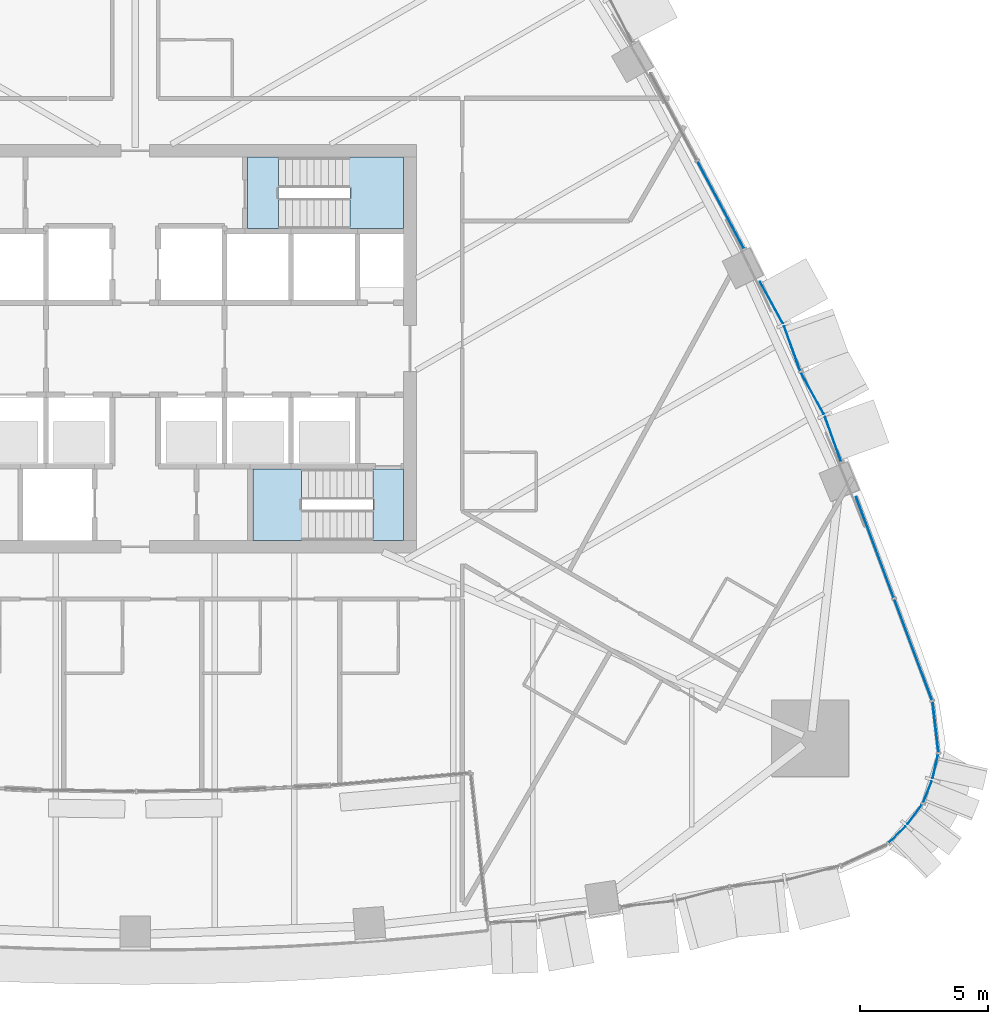
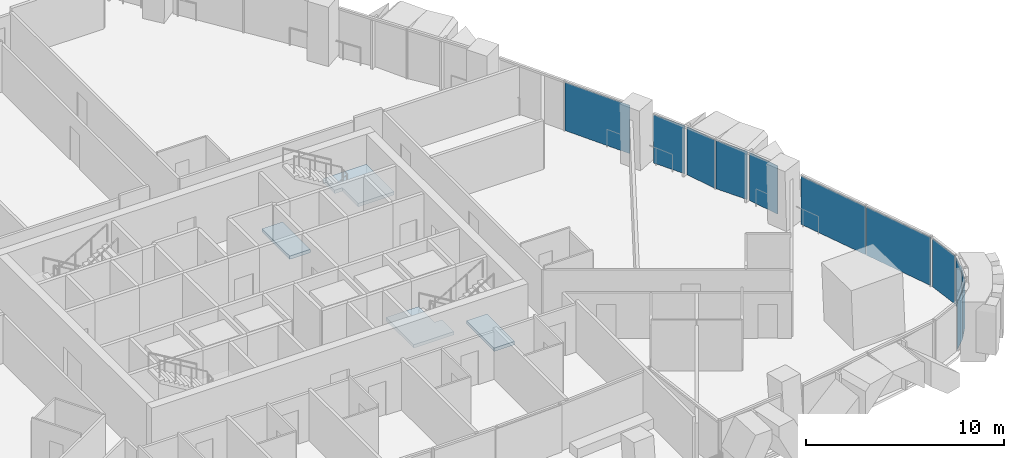
# One storey, part 10 of 22: 12 plates, 4 slabs, 8 elements without a shape of their own.
"""IFC4 building model written with IfcOpenShell, lengths in metres."""

from ifc_helpers import new_model, si_unit, direction, frame, origin, origin_2d, place, context, subcontext, project, spatial, polyline, rectangle, outline, extrude, material, layer, layer_set, type_object, element, aggregate, save


model = new_model("IFC4")

# Units and contexts
model_context = context("Model", 3, precision=1e-05, world=origin(), true_north=direction((0.0, 1.0)))
body_context = subcontext(model_context, "Body", "Model", "MODEL_VIEW")
ifc_project = project(units=[si_unit("LENGTHUNIT", "METRE"), si_unit("AREAUNIT", "SQUARE_METRE"), si_unit("VOLUMEUNIT", "CUBIC_METRE"), si_unit("PLANEANGLEUNIT", "RADIAN"), si_unit("MASSUNIT", "GRAM", prefix="KILO")], contexts=[model_context])

# Site, building, storey
site_placement = place(None, origin())
site = spatial("IfcSite", under=ifc_project, at=site_placement, CompositionType="ELEMENT")
building_placement = place(site_placement, origin())
building = spatial("IfcBuilding", under=site, at=building_placement, Name="Sierra Prisma Convention Tower", CompositionType="ELEMENT")
storey_placement = place(building_placement, frame((0.0, 0.0, 73.89990234375)))
storey = spatial("IfcBuildingStorey", under=building, at=storey_placement, Name="L14", CompositionType="ELEMENT", Elevation=73.89990234375)

# Curtain wall, plate
ifc_material_1 = material(Name="Aluminium and glass curtain wall", Category="aluminium")
ifc_layer_1 = layer(ifc_material_1, 0.179931640625)
ifc_layer_set_1 = layer_set([ifc_layer_1], Name="CW-1 Plain shaft curtain wall")
curtain_wall_type_1 = type_object("IfcCurtainWallType", Name="CW-1 Plain shaft curtain wall", PredefinedType="NOTDEFINED", material=ifc_layer_set_1)
curtain_wall_1_placement = place(storey_placement, origin())
curtain_wall_1 = element("IfcCurtainWall", 1, at=curtain_wall_1_placement, inside=storey, type_object=curtain_wall_type_1, Name="CW-1 SE4 L14", PredefinedType="NOTDEFINED")
ifc_material_2 = material(Name="Tinted glass bronze-grey IGU", Category="glass")
ifc_layer_2 = layer(ifc_material_2, 0.028076171875)
ifc_layer_set_2 = layer_set([ifc_layer_2], Name="CW-1 glass panel")
plate_type_1 = type_object("IfcPlateType", Name="CW-1 glass panel", PredefinedType="CURTAIN_PANEL", material=ifc_layer_set_2)
plate_1_placement = place(storey_placement, frame((31.332763671875, -14.8466796875, 0.0), z_axis=(0.0, 0.0, 1.0), x_axis=(-0.114595153131, 0.993412276388, 0.0)))
plate_1 = element("IfcPlate", 2, at=plate_1_placement, type_object=plate_type_1, Name="CW-1 panel SE4.1", PredefinedType="CURTAIN_PANEL", context=body_context, shape_type="SweptSolid", body=[
    extrude(rectangle(XDim=1.927001953125, YDim=0.028076171875, at=origin_2d()), origin(), (0.0, 0.0, 1.0), 2.97998046875),
])
aggregate(curtain_wall_1, [plate_1])

# Curtain wall, plates
curtain_wall_2_placement = place(storey_placement, origin())
curtain_wall_2 = element("IfcCurtainWall", 3, at=curtain_wall_2_placement, inside=storey, type_object=curtain_wall_type_1, Name="CW-1 NE1 L14", PredefinedType="NOTDEFINED")
plate_2_placement = place(storey_placement, frame((30.454345703125, -11.782958984375, 0.0), z_axis=(0.0, 0.0, 1.0), x_axis=(-0.349595603284, 0.936900696, 0.0)))
plate_2 = element("IfcPlate", 4, at=plate_2_placement, type_object=plate_type_1, Name="CW-1 panel NE1.1", PredefinedType="CURTAIN_PANEL", context=body_context, shape_type="SweptSolid", body=[
    extrude(rectangle(XDim=4.20849609375, YDim=0.028076171875, at=origin_2d()), origin(), (0.0, 0.0, 1.0), 2.97998046875),
])
plate_3_placement = place(storey_placement, frame((28.95849609375, -7.7744140625, 0.0), z_axis=(0.0, 0.0, 1.0), x_axis=(-0.349595603284, 0.936900696, 0.0)))
plate_3 = element("IfcPlate", 5, at=plate_3_placement, type_object=plate_type_1, Name="CW-1 panel NE1.2", PredefinedType="CURTAIN_PANEL", context=body_context, shape_type="SweptSolid", body=[
    extrude(rectangle(XDim=4.20849609375, YDim=0.028076171875, at=origin_2d()), origin(), (0.0, 0.0, 1.0), 2.97998046875),
])
aggregate(curtain_wall_2, [plate_2, plate_3])

# Curtain wall, plate
curtain_wall_3_placement = place(storey_placement, origin())
curtain_wall_3 = element("IfcCurtainWall", 6, at=curtain_wall_3_placement, inside=storey, type_object=curtain_wall_type_1, Name="CW-1 NE3 L14", PredefinedType="NOTDEFINED")
plate_4_placement = place(storey_placement, frame((22.923095703125, 5.624755859375, 0.0), z_axis=(0.0, 0.0, 1.0), x_axis=(-0.470524141145, 0.882387121733, 0.0)))
plate_4 = element("IfcPlate", 7, at=plate_4_placement, type_object=plate_type_1, Name="CW-1 panel NE3.1", PredefinedType="CURTAIN_PANEL", context=body_context, shape_type="SweptSolid", body=[
    extrude(rectangle(XDim=3.853759765625, YDim=0.028076171875, at=origin_2d()), origin(), (0.0, 0.0, 1.0), 2.97998046875),
])
aggregate(curtain_wall_3, [plate_4])

# Curtain wall, plates
ifc_material_3 = material(Name="Aluminium and glass curtain wall", Category="aluminium")
ifc_layer_3 = layer(ifc_material_3, 0.179931640625)
ifc_layer_set_3 = layer_set([ifc_layer_3], Name="CW-2 Faceted crystal curtain wall")
curtain_wall_type_2 = type_object("IfcCurtainWallType", Name="CW-2 Faceted crystal curtain wall", PredefinedType="NOTDEFINED", material=ifc_layer_set_3)
curtain_wall_4_placement = place(storey_placement, origin())
curtain_wall_4 = element("IfcCurtainWall", 8, at=curtain_wall_4_placement, inside=storey, type_object=curtain_wall_type_2, Name="CW-2 SE2 L14", PredefinedType="NOTDEFINED")
ifc_material_4 = material(Name="Tinted glass bronze-grey IGU", Category="glass")
ifc_layer_4 = layer(ifc_material_4, 0.028076171875)
ifc_layer_set_4 = layer_set([ifc_layer_4], Name="CW-2 crystal pane")
plate_type_2 = type_object("IfcPlateType", Name="CW-2 crystal pane", PredefinedType="CURTAIN_PANEL", material=ifc_layer_set_4)
plate_5_placement = place(storey_placement, frame((29.5146484375, -19.34521484375, 0.0), z_axis=(0.696602522669, -0.717457263822, 0.0), x_axis=(0.717457263822, 0.696602522669, 0.0)))
plate_5 = element("IfcPlate", 9, at=plate_5_placement, type_object=plate_type_2, Name="CW-2 pane SE2.1.1", PredefinedType="CURTAIN_PANEL", context=body_context, shape_type="SweptSolid", body=[
    extrude(outline(polyline([(0.0, 0.0), (0.9014174756273385, 0.0), (0.9014174756273385, 2.97998046875), (0.0, 2.97998046875), (0.0, 0.0)])), origin(), (0.0, 0.0, -1.0), 0.028076171875),
])
plate_6_placement = place(storey_placement, frame((30.78759765625, -17.8984375, 0.0), z_axis=(0.800292397595, -0.599609938503, 0.0), x_axis=(-0.599609938503, -0.800292397595, 0.0)))
plate_6 = element("IfcPlate", 10, at=plate_6_placement, type_object=plate_type_2, Name="CW-2 pane SE2.1.2", PredefinedType="CURTAIN_PANEL", context=body_context, shape_type="SweptSolid", body=[
    extrude(outline(polyline([(0.0, 0.0), (0.901464950864015, 0.0), (0.901464950864015, -2.97998046875), (0.0, -2.97998046875), (0.0, 0.0)])), origin(), (0.0, 0.0, -1.0), 0.028076171875),
])
aggregate(curtain_wall_4, [plate_5, plate_6])

curtain_wall_5_placement = place(storey_placement, origin())
curtain_wall_5 = element("IfcCurtainWall", 11, at=curtain_wall_5_placement, inside=storey, type_object=curtain_wall_type_2, Name="CW-2 SE3 L14", PredefinedType="NOTDEFINED")
plate_7_placement = place(storey_placement, frame((30.854736328125, -17.779296875, 0.0), z_axis=(0.927990346553, -0.372604236025, 0.0), x_axis=(0.372604236025, 0.927990346553, 0.0)))
plate_7 = element("IfcPlate", 12, at=plate_7_placement, type_object=plate_type_2, Name="CW-2 pane SE3.1.1", PredefinedType="CURTAIN_PANEL", context=body_context, shape_type="SweptSolid", body=[
    extrude(outline(polyline([(0.0, 0.0), (0.9015933462912028, 0.0), (0.9015933462912028, 2.97998046875), (0.0, 2.97998046875), (0.0, 0.0)])), origin(), (0.0, 0.0, -1.0), 0.028076171875),
])
plate_8_placement = place(storey_placement, frame((31.430419921875, -15.940185546875, 0.0), z_axis=(0.974850102723, -0.22286156515, 0.0), x_axis=(-0.22286156515, -0.974850102723, 0.0)))
plate_8 = element("IfcPlate", 13, at=plate_8_placement, type_object=plate_type_2, Name="CW-2 pane SE3.1.2", PredefinedType="CURTAIN_PANEL", context=body_context, shape_type="SweptSolid", body=[
    extrude(outline(polyline([(0.0, 0.0), (0.9015809174611745, 0.0), (0.9015809174611745, -2.97998046875), (0.0, -2.97998046875), (0.0, 0.0)])), origin(), (0.0, 0.0, -1.0), 0.028076171875),
])
aggregate(curtain_wall_5, [plate_7, plate_8])

curtain_wall_6_placement = place(storey_placement, origin())
curtain_wall_6 = element("IfcCurtainWall", 14, at=curtain_wall_6_placement, inside=storey, type_object=curtain_wall_type_2, Name="CW-2 NE2 L14", PredefinedType="NOTDEFINED")
plate_9_placement = place(storey_placement, frame((27.644775390625, -4.412353515625, 0.0), z_axis=(0.941063580987, 0.338229709724, 0.0), x_axis=(-0.338229709724, 0.941063580987, 0.0)))
plate_9 = element("IfcPlate", 15, at=plate_9_placement, type_object=plate_type_2, Name="CW-2 pane NE2.1.1", PredefinedType="CURTAIN_PANEL", context=body_context, shape_type="SweptSolid", body=[
    extrude(outline(polyline([(0.0, 0.0), (1.8536311476374827, 0.0), (1.8536311476374827, 2.97998046875), (0.0, 2.97998046875), (0.0, 0.0)])), origin(), (0.0, 0.0, -1.0), 0.028076171875),
])
plate_10_placement = place(storey_placement, frame((26.07275390625, -0.925048828125, 0.0), z_axis=(0.876618862441, 0.48118538009, 0.0), x_axis=(0.48118538009, -0.876618862441, 0.0)))
plate_10 = element("IfcPlate", 16, at=plate_10_placement, type_object=plate_type_2, Name="CW-2 pane NE2.1.2", PredefinedType="CURTAIN_PANEL", context=body_context, shape_type="SweptSolid", body=[
    extrude(outline(polyline([(0.0, 0.0), (1.8534347468297665, 0.0), (1.8534347468297665, -2.97998046875), (0.0, -2.97998046875), (0.0, 0.0)])), origin(), (0.0, 0.0, -1.0), 0.028076171875),
])
plate_11_placement = place(storey_placement, frame((26.0439453125, -0.861328125, 0.0), z_axis=(0.941105498152, 0.338113060008, 0.0), x_axis=(-0.338113060008, 0.941105498152, 0.0)))
plate_11 = element("IfcPlate", 17, at=plate_11_placement, type_object=plate_type_2, Name="CW-2 pane NE2.2.1", PredefinedType="CURTAIN_PANEL", context=body_context, shape_type="SweptSolid", body=[
    extrude(outline(polyline([(0.0, 0.0), (1.8535485862639076, 0.0), (1.8535485862639076, 2.97998046875), (0.0, 2.97998046875), (0.0, 0.0)])), origin(), (0.0, 0.0, -1.0), 0.028076171875),
])
plate_12_placement = place(storey_placement, frame((24.471923828125, 2.6259765625, 0.0), z_axis=(0.876563297081, 0.481286594671, 0.0), x_axis=(0.481286594671, -0.876563297081, 0.0)))
plate_12 = element("IfcPlate", 18, at=plate_12_placement, type_object=plate_type_2, Name="CW-2 pane NE2.2.2", PredefinedType="CURTAIN_PANEL", context=body_context, shape_type="SweptSolid", body=[
    extrude(outline(polyline([(0.0, 0.0), (1.8535522360848897, 0.0), (1.8535522360848897, -2.97998046875), (0.0, -2.97998046875), (0.0, 0.0)])), origin(), (0.0, 0.0, -1.0), 0.028076171875),
])
aggregate(curtain_wall_6, [plate_9, plate_10, plate_11, plate_12])

# Stair, slab
ifc_material_5 = material(Name="Concrete C30/37", Category="concrete")
stair_type = type_object("IfcStairType", Name="Stair dog-leg 1200 RC", PredefinedType="HALF_TURN_STAIR", material=ifc_material_5)
stair_1_placement = place(storey_placement, origin())
stair_1 = element("IfcStair", 19, at=stair_1_placement, inside=storey, type_object=stair_type, Name="L14 S2", PredefinedType="HALF_TURN_STAIR")
ifc_material_6 = material(Name="Concrete C35/45", Category="concrete")
ifc_layer_5 = layer(ifc_material_6, 0.199951171875)
ifc_layer_set_5 = layer_set([ifc_layer_5], Name="Stair landing slab")
slab_type = type_object("IfcSlabType", Name="Stair landing slab", PredefinedType="LANDING", material=ifc_layer_set_5)
slab_1_placement = place(storey_placement, frame((0.0, 0.0, 1.650146484375)))
slab_1 = element("IfcSlab", 20, at=slab_1_placement, type_object=slab_type, Name="S2 landing 1", PredefinedType="LANDING", context=body_context, shape_type="SweptSolid", body=[
    extrude(outline(polyline([(6.949951171875, -6.300048828125), (6.949951171875, -7.5), (4.60009765625, -7.5), (4.60009765625, -4.699951171875), (6.501953125, -4.699951171875), (6.501953125, -6.300048828125), (6.949951171875, -6.300048828125)])), origin(), (0.0, 0.0, 1.0), 0.199951171875),
])
aggregate(stair_1, [slab_1])

# Slab
slab_2_placement = place(storey_placement, frame((0.0, 0.0, -0.199951171875)))
element("IfcSlab", 21, at=slab_2_placement, inside=storey, type_object=slab_type, Name="S2 floor landing L14", PredefinedType="LANDING", context=body_context, shape_type="SweptSolid", body=[
    extrude(outline(polyline([(10.5, -4.699951171875), (9.298095703125, -4.699951171875), (9.298095703125, -7.5), (10.5, -7.5), (10.5, -4.699951171875)])), origin(), (0.0, 0.0, 1.0), 0.199951171875),
])

# Stair, slab
stair_2_placement = place(storey_placement, origin())
stair_2 = element("IfcStair", 22, at=stair_2_placement, inside=storey, type_object=stair_type, Name="L14 S4", PredefinedType="HALF_TURN_STAIR")
slab_3_placement = place(storey_placement, frame((0.0, 0.0, 1.650146484375)))
slab_3 = element("IfcSlab", 23, at=slab_3_placement, type_object=slab_type, Name="S4 landing 1", PredefinedType="LANDING", context=body_context, shape_type="SweptSolid", body=[
    extrude(outline(polyline([(10.5, 7.5), (10.5, 4.699951171875), (8.39794921875, 4.699951171875), (8.39794921875, 6.300048828125), (7.949951171875, 6.300048828125), (7.949951171875, 7.5), (10.5, 7.5)])), origin(), (0.0, 0.0, 1.0), 0.199951171875),
])
aggregate(stair_2, [slab_3])

# Slab
slab_4_placement = place(storey_placement, frame((0.0, 0.0, -0.199951171875)))
element("IfcSlab", 24, at=slab_4_placement, inside=storey, type_object=slab_type, Name="S4 floor landing L14", PredefinedType="LANDING", context=body_context, shape_type="SweptSolid", body=[
    extrude(outline(polyline([(4.39990234375, 4.699951171875), (5.60205078125, 4.699951171875), (5.60205078125, 7.5), (4.39990234375, 7.5), (4.39990234375, 4.699951171875)])), origin(), (0.0, 0.0, 1.0), 0.199951171875),
])

save(model, "model.ifc")
